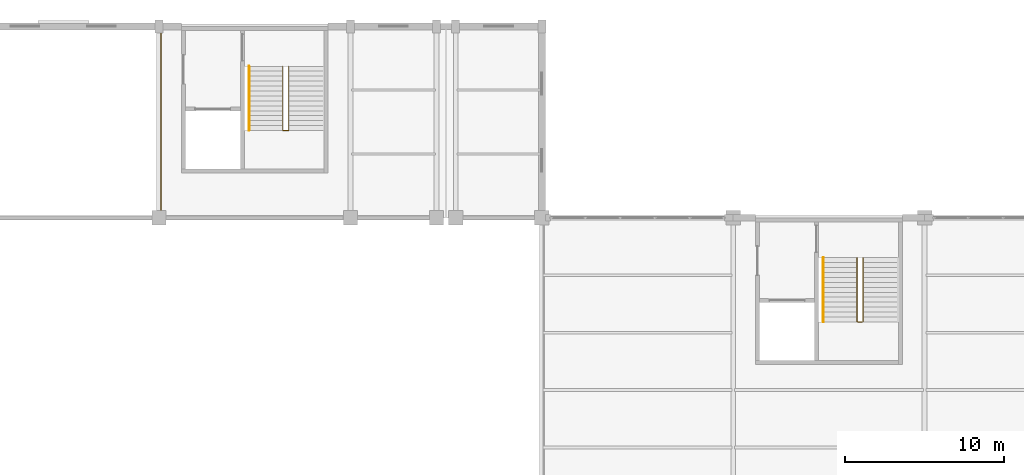
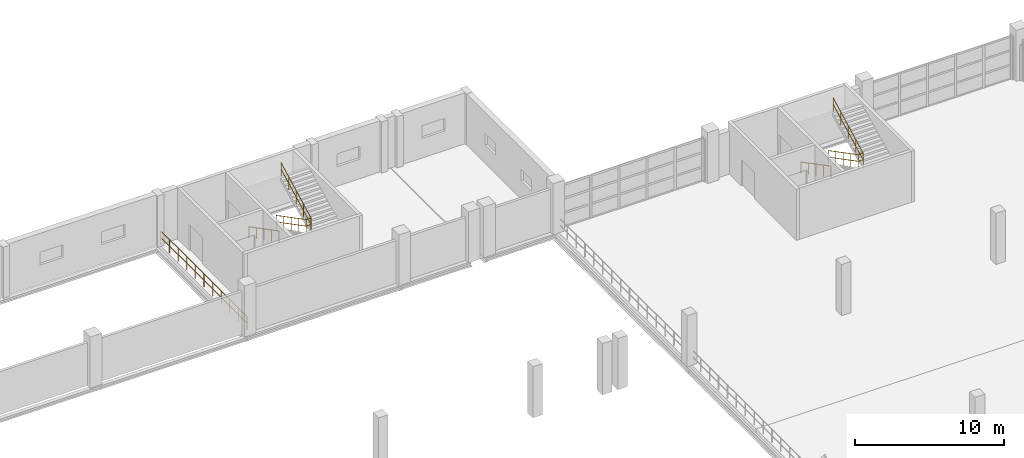
# One storey, part 158 of 158: 5 railings.
"""IFC4 building model written with IfcOpenShell, lengths in metres."""

from ifc_helpers import new_model, si_unit, direction, frame, origin, origin_2d, place, context, subcontext, project, spatial, circle, extrude, material, type_object, element, save


model = new_model("IFC4")

# Units and contexts
model_context = context("Model", 3, precision=1e-05, world=origin(), true_north=direction((0.0, 1.0)))
body_context = subcontext(model_context, "Body", "Model", "MODEL_VIEW")
ifc_project = project(units=[si_unit("LENGTHUNIT", "METRE"), si_unit("AREAUNIT", "SQUARE_METRE"), si_unit("VOLUMEUNIT", "CUBIC_METRE"), si_unit("PLANEANGLEUNIT", "RADIAN"), si_unit("MASSUNIT", "GRAM", prefix="KILO")], contexts=[model_context])

# Site, building, storey
site_placement = place(None, origin())
site = spatial("IfcSite", under=ifc_project, at=site_placement, CompositionType="ELEMENT")
building_placement = place(site_placement, origin())
building = spatial("IfcBuilding", under=site, at=building_placement, Name="Zilviju Railside Exhibition Hall", CompositionType="ELEMENT")
storey_placement = place(building_placement, frame((0.0, 0.0, 4.199951171875)))
storey = spatial("IfcBuildingStorey", under=building, at=storey_placement, Name="L02", CompositionType="ELEMENT", Elevation=4.199951171875)

# Railings
ifc_material_1 = material(Name="Brushed bronze tubular stair handrail", Category="steel")
railing_type_1 = type_object("IfcRailingType", Name="RL-HANDRAIL-920", PredefinedType="HANDRAIL", material=ifc_material_1)
for number, where, name in (
    (1, (197.64990234375, 135.5, 0.0), "Core C08 North Hall Rail East Stair Wall Handrail L02"),
    (2, (161.64990234375, 147.5, 0.0), "Core C17 Logistics Wing East Stair Wall Handrail L02"),
):
    element("IfcRailing", number, at=place(storey_placement, frame(where)), inside=storey, type_object=railing_type_1, Name=name, PredefinedType="HANDRAIL", context=body_context, shape_type="SweptSolid", body=[
        extrude(circle(Radius=0.02392578125, at=origin_2d()), frame((0.0, -0.019287109375, 0.906005859375), z_axis=(0.0, -0.88681272381, 0.462128978628), x_axis=(1.0, 0.0, 0.0)), (0.0, 0.0, 1.0), 4.500732421875),
        extrude(circle(Radius=0.02099609375, at=origin_2d()), origin(), (0.0, 0.0, 1.0), 0.919921875),
        extrude(circle(Radius=0.02099609375, at=origin_2d()), frame((0.0, -1.007568359375, 0.52490234375)), (0.0, 0.0, 1.0), 0.919921875),
        extrude(circle(Radius=0.02099609375, at=origin_2d()), frame((0.0, -2.01513671875, 1.050048828125)), (0.0, 0.0, 1.0), 0.919921875),
        extrude(circle(Radius=0.02099609375, at=origin_2d()), frame((0.0, -3.0224609375, 1.5751953125)), (0.0, 0.0, 1.0), 0.919921875),
        extrude(circle(Radius=0.02099609375, at=origin_2d()), frame((0.0, -4.030029296875, 2.10009765625)), (0.0, 0.0, 1.0), 0.919921875),
    ])
ifc_material_2 = material(Name="Wrought-iron and laminated-glass atrium guardrail", Category="glass")
railing_type_2 = type_object("IfcRailingType", Name="RL-INT-GUARD-1120", PredefinedType="GUARDRAIL", material=ifc_material_2)
railing_1_placement = place(storey_placement, frame((199.760009765625, 135.5, 0.0)))
element("IfcRailing", 3, at=railing_1_placement, inside=storey, type_object=railing_type_2, Name="Core C08 North Hall Rail East Stair Well Guardrail L02", PredefinedType="GUARDRAIL", context=body_context, shape_type="SweptSolid", body=[
    extrude(circle(Radius=0.02392578125, at=origin_2d()), frame((0.0, -0.019287109375, 1.106201171875), z_axis=(0.0, -0.88681272381, 0.462128978628), x_axis=(1.0, 0.0, 0.0)), (0.0, 0.0, 1.0), 4.500732421875),
    extrude(circle(Radius=0.02392578125, at=origin_2d()), frame((0.0, -0.019287109375, 0.570068359375), z_axis=(0.0, -0.88681272381, 0.462128978628), x_axis=(1.0, 0.0, 0.0)), (0.0, 0.0, 1.0), 4.500732421875),
    extrude(circle(Radius=0.02392578125, at=origin_2d()), frame((0.021728515625, -4.030029296875, 3.1962890625), z_axis=(1.0, 0.0, 0.0), x_axis=(0.0, 1.0, 0.0)), (0.0, 0.0, 1.0), 0.336181640625),
    extrude(circle(Radius=0.02392578125, at=origin_2d()), frame((0.021728515625, -4.030029296875, 2.66015625), z_axis=(1.0, 0.0, 0.0), x_axis=(0.0, 1.0, 0.0)), (0.0, 0.0, 1.0), 0.336181640625),
    extrude(circle(Radius=0.02392578125, at=origin_2d()), frame((0.3798828125, -4.0107421875, 3.206298828125), z_axis=(0.0, 0.886834740388, 0.462086726969), x_axis=(-1.0, 0.0, 0.0)), (0.0, 0.0, 1.0), 4.500732421875),
    extrude(circle(Radius=0.02392578125, at=origin_2d()), frame((0.3798828125, -4.0107421875, 2.670166015625), z_axis=(0.0, 0.886834740388, 0.462086726969), x_axis=(-1.0, 0.0, 0.0)), (0.0, 0.0, 1.0), 4.500732421875),
    extrude(circle(Radius=0.02099609375, at=origin_2d()), origin(), (0.0, 0.0, 1.0), 1.1201171875),
    extrude(circle(Radius=0.02099609375, at=origin_2d()), frame((0.0, -1.007568359375, 0.52490234375)), (0.0, 0.0, 1.0), 1.1201171875),
    extrude(circle(Radius=0.02099609375, at=origin_2d()), frame((0.0, -2.01513671875, 1.050048828125)), (0.0, 0.0, 1.0), 1.1201171875),
    extrude(circle(Radius=0.02099609375, at=origin_2d()), frame((0.0, -3.0224609375, 1.5751953125)), (0.0, 0.0, 1.0), 1.1201171875),
    extrude(circle(Radius=0.02099609375, at=origin_2d()), frame((0.0, -4.030029296875, 2.10009765625)), (0.0, 0.0, 1.0), 1.1201171875),
    extrude(circle(Radius=0.02099609375, at=origin_2d()), frame((0.3798828125, -4.030029296875, 2.10009765625)), (0.0, 0.0, 1.0), 1.1201171875),
    extrude(circle(Radius=0.02099609375, at=origin_2d()), frame((0.3798828125, -3.0224609375, 2.625)), (0.0, 0.0, 1.0), 1.1201171875),
    extrude(circle(Radius=0.02099609375, at=origin_2d()), frame((0.3798828125, -2.01513671875, 3.14990234375)), (0.0, 0.0, 1.0), 1.1201171875),
    extrude(circle(Radius=0.02099609375, at=origin_2d()), frame((0.3798828125, -1.007568359375, 3.675048828125)), (0.0, 0.0, 1.0), 1.1201171875),
    extrude(circle(Radius=0.02099609375, at=origin_2d()), frame((0.3798828125, 0.0, 4.199951171875)), (0.0, 0.0, 1.0), 1.1201171875),
])
railing_2_placement = place(storey_placement, frame((163.760009765625, 147.5, 0.0)))
element("IfcRailing", 4, at=railing_2_placement, inside=storey, type_object=railing_type_2, Name="Core C17 Logistics Wing East Stair Well Guardrail L02", PredefinedType="GUARDRAIL", context=body_context, shape_type="SweptSolid", body=[
    extrude(circle(Radius=0.02392578125, at=origin_2d()), frame((0.0, -0.019287109375, 1.106201171875), z_axis=(0.0, -0.88681272381, 0.462128978628), x_axis=(1.0, 0.0, 0.0)), (0.0, 0.0, 1.0), 4.500732421875),
    extrude(circle(Radius=0.02392578125, at=origin_2d()), frame((0.0, -0.019287109375, 0.570068359375), z_axis=(0.0, -0.88681272381, 0.462128978628), x_axis=(1.0, 0.0, 0.0)), (0.0, 0.0, 1.0), 4.500732421875),
    extrude(circle(Radius=0.02392578125, at=origin_2d()), frame((0.021728515625, -4.030029296875, 3.1962890625), z_axis=(1.0, 0.0, 0.0), x_axis=(0.0, 1.0, 0.0)), (0.0, 0.0, 1.0), 0.336181640625),
    extrude(circle(Radius=0.02392578125, at=origin_2d()), frame((0.021728515625, -4.030029296875, 2.66015625), z_axis=(1.0, 0.0, 0.0), x_axis=(0.0, 1.0, 0.0)), (0.0, 0.0, 1.0), 0.336181640625),
    extrude(circle(Radius=0.02392578125, at=origin_2d()), frame((0.3798828125, -4.0107421875, 3.206298828125), z_axis=(0.0, 0.886834740388, 0.462086726969), x_axis=(-1.0, 0.0, 0.0)), (0.0, 0.0, 1.0), 4.500732421875),
    extrude(circle(Radius=0.02392578125, at=origin_2d()), frame((0.3798828125, -4.0107421875, 2.670166015625), z_axis=(0.0, 0.886834740388, 0.462086726969), x_axis=(-1.0, 0.0, 0.0)), (0.0, 0.0, 1.0), 4.500732421875),
    extrude(circle(Radius=0.02099609375, at=origin_2d()), origin(), (0.0, 0.0, 1.0), 1.1201171875),
    extrude(circle(Radius=0.02099609375, at=origin_2d()), frame((0.0, -1.007568359375, 0.52490234375)), (0.0, 0.0, 1.0), 1.1201171875),
    extrude(circle(Radius=0.02099609375, at=origin_2d()), frame((0.0, -2.01513671875, 1.050048828125)), (0.0, 0.0, 1.0), 1.1201171875),
    extrude(circle(Radius=0.02099609375, at=origin_2d()), frame((0.0, -3.0224609375, 1.5751953125)), (0.0, 0.0, 1.0), 1.1201171875),
    extrude(circle(Radius=0.02099609375, at=origin_2d()), frame((0.0, -4.030029296875, 2.10009765625)), (0.0, 0.0, 1.0), 1.1201171875),
    extrude(circle(Radius=0.02099609375, at=origin_2d()), frame((0.3798828125, -4.030029296875, 2.10009765625)), (0.0, 0.0, 1.0), 1.1201171875),
    extrude(circle(Radius=0.02099609375, at=origin_2d()), frame((0.3798828125, -3.0224609375, 2.625)), (0.0, 0.0, 1.0), 1.1201171875),
    extrude(circle(Radius=0.02099609375, at=origin_2d()), frame((0.3798828125, -2.01513671875, 3.14990234375)), (0.0, 0.0, 1.0), 1.1201171875),
    extrude(circle(Radius=0.02099609375, at=origin_2d()), frame((0.3798828125, -1.007568359375, 3.675048828125)), (0.0, 0.0, 1.0), 1.1201171875),
    extrude(circle(Radius=0.02099609375, at=origin_2d()), frame((0.3798828125, 0.0, 4.199951171875)), (0.0, 0.0, 1.0), 1.1201171875),
])
railing_3_placement = place(storey_placement, frame((156.1201171875, 138.199951171875, 0.0)))
element("IfcRailing", 5, at=railing_3_placement, inside=storey, type_object=railing_type_2, Name="Interior Atrium & Gallery Guardrail V6-AHU-W", PredefinedType="GUARDRAIL", context=body_context, shape_type="SweptSolid", body=[
    extrude(circle(Radius=0.02392578125, at=origin_2d()), frame((0.0, 0.021728515625, 1.09619140625), z_axis=(0.0, 1.0, 0.0), x_axis=(-1.0, 0.0, 0.0)), (0.0, 0.0, 1.0), 11.556396484375),
    extrude(circle(Radius=0.02392578125, at=origin_2d()), frame((0.0, 0.021728515625, 0.56005859375), z_axis=(0.0, 1.0, 0.0), x_axis=(-1.0, 0.0, 0.0)), (0.0, 0.0, 1.0), 11.556396484375),
    extrude(circle(Radius=0.02099609375, at=origin_2d()), origin(), (0.0, 0.0, 1.0), 1.1201171875),
    extrude(circle(Radius=0.02099609375, at=origin_2d()), frame((0.0, 1.159912109375, 0.0)), (0.0, 0.0, 1.0), 1.1201171875),
    extrude(circle(Radius=0.02099609375, at=origin_2d()), frame((0.0, 2.320068359375, 0.0)), (0.0, 0.0, 1.0), 1.1201171875),
    extrude(circle(Radius=0.02099609375, at=origin_2d()), frame((0.0, 3.47998046875, 0.0)), (0.0, 0.0, 1.0), 1.1201171875),
    extrude(circle(Radius=0.02099609375, at=origin_2d()), frame((0.0, 4.64013671875, 0.0)), (0.0, 0.0, 1.0), 1.1201171875),
    extrude(circle(Radius=0.02099609375, at=origin_2d()), frame((0.0, 5.800048828125, 0.0)), (0.0, 0.0, 1.0), 1.1201171875),
    extrude(circle(Radius=0.02099609375, at=origin_2d()), frame((0.0, 6.9599609375, 0.0)), (0.0, 0.0, 1.0), 1.1201171875),
    extrude(circle(Radius=0.02099609375, at=origin_2d()), frame((0.0, 8.1201171875, 0.0)), (0.0, 0.0, 1.0), 1.1201171875),
    extrude(circle(Radius=0.02099609375, at=origin_2d()), frame((0.0, 9.280029296875, 0.0)), (0.0, 0.0, 1.0), 1.1201171875),
    extrude(circle(Radius=0.02099609375, at=origin_2d()), frame((0.0, 10.440185546875, 0.0)), (0.0, 0.0, 1.0), 1.1201171875),
    extrude(circle(Radius=0.02099609375, at=origin_2d()), frame((0.0, 11.60009765625, 0.0)), (0.0, 0.0, 1.0), 1.1201171875),
])

save(model, "model.ifc")
